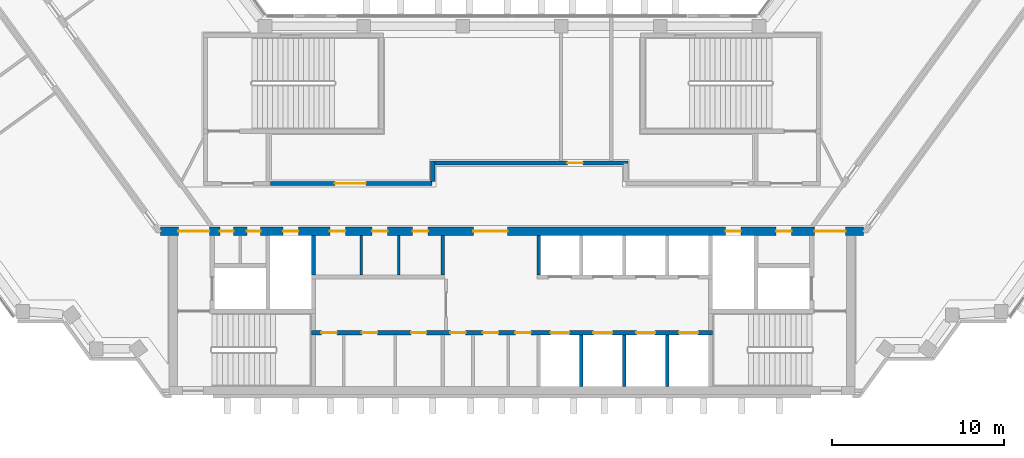
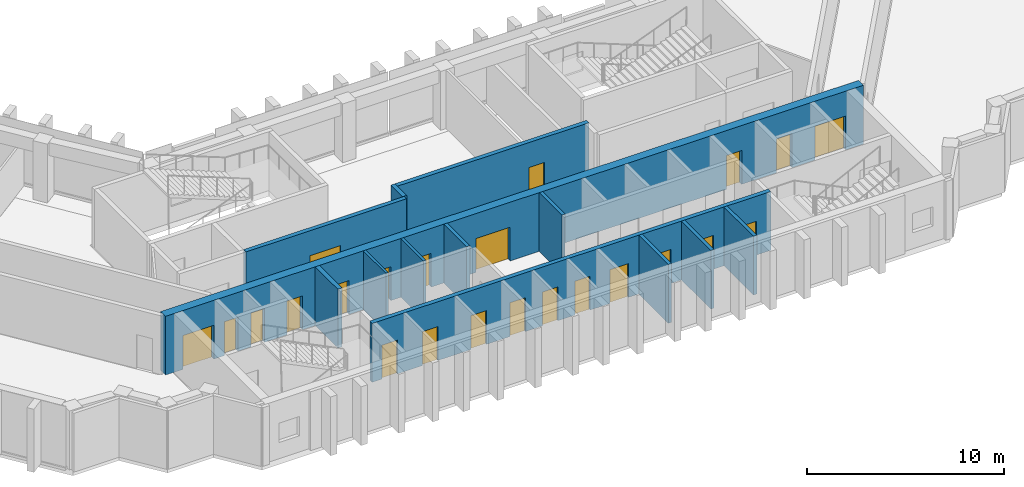
# One storey, part 5 of 9: 23 doors, 13 walls, 23 openings.
"""IFC4 building model written with IfcOpenShell, lengths in metres."""

from ifc_helpers import new_model, si_unit, direction, frame, frame_2d, origin, place, context, subcontext, project, spatial, rectangle, extrude, material, layer, layer_set, type_object, element, fill, save


model = new_model("IFC4")

# Units and contexts
model_context = context("Model", 3, precision=1e-05, world=origin(), true_north=direction((0.0, 1.0)))
body_context = subcontext(model_context, "Body", "Model", "MODEL_VIEW")
ifc_project = project(units=[si_unit("LENGTHUNIT", "METRE"), si_unit("AREAUNIT", "SQUARE_METRE"), si_unit("VOLUMEUNIT", "CUBIC_METRE"), si_unit("PLANEANGLEUNIT", "RADIAN"), si_unit("MASSUNIT", "GRAM", prefix="KILO")], contexts=[model_context])

# Site, building, storey
site_placement = place(None, origin())
site = spatial("IfcSite", under=ifc_project, at=site_placement, CompositionType="ELEMENT")
building_placement = place(site_placement, origin())
building = spatial("IfcBuilding", under=site, at=building_placement, Name="Quipu Civic Tower", CompositionType="ELEMENT")
storey_placement = place(building_placement, frame((0.0, 0.0, 226.0)))
storey = spatial("IfcBuildingStorey", under=building, at=storey_placement, Name="L53", CompositionType="ELEMENT", Elevation=226.0)

# Wall, openings, doors
ifc_material_1 = material(Name="Concrete C70/85", Category="concrete")
ifc_layer_1 = layer(ifc_material_1, 0.25)
ifc_layer_set_1 = layer_set([ifc_layer_1], Name="Concrete C70/85")
wall_type_1 = type_object("IfcWallType", Name="Core wall 250", PredefinedType="SHEAR", material=ifc_layer_set_1)
wall_1_placement = place(storey_placement, frame((11.699951171875, -7.375, 0.0), z_axis=(0.0, 0.0, 1.0), x_axis=(-1.0, 0.0, 0.0)))
wall_1 = element("IfcWall", 1, at=wall_1_placement, inside=storey, type_object=wall_type_1, Name="Core wall", PredefinedType="SHEAR", context=body_context, shape_type="SweptSolid", body=[
    extrude(rectangle(XDim=23.39990234375, YDim=0.25, at=frame_2d((11.699951171875, 0.0))), origin(), (0.0, 0.0, 1.0), 3.64990234375),
])
opening_1_placement = place(wall_1_placement, frame((21.912109375, 0.0, 0.0)))
opening_1 = element("IfcOpeningElement", 2, at=opening_1_placement, cuts=wall_1, Name="Opening CD-01", PredefinedType="OPENING", context=body_context, shape_type="SweptSolid", body=[
    extrude(rectangle(XDim=0.89990234375, YDim=2.10009765625, at=frame_2d((0.449951171875, 1.050048828125))), frame((0.0, 0.135009765625, 0.0), z_axis=(0.0, -1.0, 0.0), x_axis=(1.0, 0.0, 0.0)), (0.0, 0.0, 1.0), 0.27001953125),
])
opening_2_placement = place(wall_1_placement, frame((19.550048828125, 0.0, 0.0)))
opening_2 = element("IfcOpeningElement", 3, at=opening_2_placement, cuts=wall_1, Name="Opening CD-02", PredefinedType="OPENING", context=body_context, shape_type="SweptSolid", body=[
    extrude(rectangle(XDim=0.89990234375, YDim=2.10009765625, at=frame_2d((0.449951171875, 1.050048828125))), frame((0.0, 0.135009765625, 0.0), z_axis=(0.0, -1.0, 0.0), x_axis=(1.0, 0.0, 0.0)), (0.0, 0.0, 1.0), 0.27001953125),
])
opening_3_placement = place(wall_1_placement, frame((16.68798828125, 0.0, 0.0)))
opening_3 = element("IfcOpeningElement", 4, at=opening_3_placement, cuts=wall_1, Name="Opening CD-03", PredefinedType="OPENING", context=body_context, shape_type="SweptSolid", body=[
    extrude(rectangle(XDim=0.89990234375, YDim=2.10009765625, at=frame_2d((0.449951171875, 1.050048828125))), frame((0.0, 0.135009765625, 0.0), z_axis=(0.0, -1.0, 0.0), x_axis=(1.0, 0.0, 0.0)), (0.0, 0.0, 1.0), 0.27001953125),
])
opening_4_placement = place(wall_1_placement, frame((14.39990234375, 0.0, 0.0)))
opening_4 = element("IfcOpeningElement", 5, at=opening_4_placement, cuts=wall_1, Name="Opening CD-04", PredefinedType="OPENING", context=body_context, shape_type="SweptSolid", body=[
    extrude(rectangle(XDim=0.89990234375, YDim=2.10009765625, at=frame_2d((0.449951171875, 1.050048828125))), frame((0.0, 0.135009765625, 0.0), z_axis=(0.0, -1.0, 0.0), x_axis=(1.0, 0.0, 0.0)), (0.0, 0.0, 1.0), 0.27001953125),
])
opening_5_placement = place(wall_1_placement, frame((12.5, 0.0, 0.0)))
opening_5 = element("IfcOpeningElement", 6, at=opening_5_placement, cuts=wall_1, Name="Opening CD-05", PredefinedType="OPENING", context=body_context, shape_type="SweptSolid", body=[
    extrude(rectangle(XDim=0.89990234375, YDim=2.10009765625, at=frame_2d((0.449951171875, 1.050048828125))), frame((0.0, 0.135009765625, 0.0), z_axis=(0.0, -1.0, 0.0), x_axis=(1.0, 0.0, 0.0)), (0.0, 0.0, 1.0), 0.27001953125),
])
opening_6_placement = place(wall_1_placement, frame((10.60009765625, 0.0, 0.0)))
opening_6 = element("IfcOpeningElement", 7, at=opening_6_placement, cuts=wall_1, Name="Opening CD-06", PredefinedType="OPENING", context=body_context, shape_type="SweptSolid", body=[
    extrude(rectangle(XDim=0.89990234375, YDim=2.10009765625, at=frame_2d((0.449951171875, 1.050048828125))), frame((0.0, 0.135009765625, 0.0), z_axis=(0.0, -1.0, 0.0), x_axis=(1.0, 0.0, 0.0)), (0.0, 0.0, 1.0), 0.27001953125),
])
opening_7_placement = place(wall_1_placement, frame((8.35009765625, 0.0, 0.0)))
opening_7 = element("IfcOpeningElement", 8, at=opening_7_placement, cuts=wall_1, Name="Opening LD-ML1", PredefinedType="OPENING", context=body_context, shape_type="SweptSolid", body=[
    extrude(rectangle(XDim=1.10009765625, YDim=2.10009765625, at=frame_2d((0.550048828125, 1.050048828125))), frame((0.0, 0.135009765625, 0.0), z_axis=(0.0, -1.0, 0.0), x_axis=(1.0, 0.0, 0.0)), (0.0, 0.0, 1.0), 0.27001953125),
])
opening_8_placement = place(wall_1_placement, frame((5.85009765625, 0.0, 0.0)))
opening_8 = element("IfcOpeningElement", 9, at=opening_8_placement, cuts=wall_1, Name="Opening LD-ML2", PredefinedType="OPENING", context=body_context, shape_type="SweptSolid", body=[
    extrude(rectangle(XDim=1.10009765625, YDim=2.10009765625, at=frame_2d((0.550048828125, 1.050048828125))), frame((0.0, 0.135009765625, 0.0), z_axis=(0.0, -1.0, 0.0), x_axis=(1.0, 0.0, 0.0)), (0.0, 0.0, 1.0), 0.27001953125),
])
opening_9_placement = place(wall_1_placement, frame((3.35009765625, 0.0, 0.0)))
opening_9 = element("IfcOpeningElement", 10, at=opening_9_placement, cuts=wall_1, Name="Opening LD-ML3", PredefinedType="OPENING", context=body_context, shape_type="SweptSolid", body=[
    extrude(rectangle(XDim=1.10009765625, YDim=2.10009765625, at=frame_2d((0.550048828125, 1.050048828125))), frame((0.0, 0.135009765625, 0.0), z_axis=(0.0, -1.0, 0.0), x_axis=(1.0, 0.0, 0.0)), (0.0, 0.0, 1.0), 0.27001953125),
])
opening_10_placement = place(wall_1_placement, frame((0.85009765625, 0.0, 0.0)))
opening_10 = element("IfcOpeningElement", 11, at=opening_10_placement, cuts=wall_1, Name="Opening LD-ML4", PredefinedType="OPENING", context=body_context, shape_type="SweptSolid", body=[
    extrude(rectangle(XDim=1.10009765625, YDim=2.10009765625, at=frame_2d((0.550048828125, 1.050048828125))), frame((0.0, 0.135009765625, 0.0), z_axis=(0.0, -1.0, 0.0), x_axis=(1.0, 0.0, 0.0)), (0.0, 0.0, 1.0), 0.27001953125),
])
ifc_material_2 = material(Name="Fire rated steel door", Category="steel")
door_type_1 = type_object("IfcDoorType", Name="Fire door FD60 900 x 2100", OperationType="NOTDEFINED", PredefinedType="DOOR", material=ifc_material_2)
door_1_placement = place(opening_1_placement, origin())
door_1 = element("IfcDoor", 12, at=door_1_placement, inside=storey, type_object=door_type_1, Name="Door", OperationType="SINGLE_SWING_RIGHT", OverallHeight=2.10009765625, OverallWidth=0.89990234375, PredefinedType="DOOR", context=body_context, shape_type="SweptSolid", body=[
    extrude(rectangle(XDim=0.89990234375, YDim=2.10009765625, at=frame_2d((0.449951171875, 1.050048828125))), frame((0.0, 0.02490234375, 0.0), z_axis=(0.0, -1.0, 0.0), x_axis=(1.0, 0.0, 0.0)), (0.0, 0.0, 1.0), 0.050048828125),
])
fill(opening_1, door_1)
door_2_placement = place(opening_2_placement, origin())
door_2 = element("IfcDoor", 13, at=door_2_placement, inside=storey, type_object=door_type_1, Name="Door", OperationType="SINGLE_SWING_RIGHT", OverallHeight=2.10009765625, OverallWidth=0.89990234375, PredefinedType="DOOR", context=body_context, shape_type="SweptSolid", body=[
    extrude(rectangle(XDim=0.89990234375, YDim=2.10009765625, at=frame_2d((0.449951171875, 1.050048828125))), frame((0.0, 0.02490234375, 0.0), z_axis=(0.0, -1.0, 0.0), x_axis=(1.0, 0.0, 0.0)), (0.0, 0.0, 1.0), 0.050048828125),
])
fill(opening_2, door_2)
door_3_placement = place(opening_3_placement, origin())
door_3 = element("IfcDoor", 14, at=door_3_placement, inside=storey, type_object=door_type_1, Name="Door", OperationType="SINGLE_SWING_RIGHT", OverallHeight=2.10009765625, OverallWidth=0.89990234375, PredefinedType="DOOR", context=body_context, shape_type="SweptSolid", body=[
    extrude(rectangle(XDim=0.89990234375, YDim=2.10009765625, at=frame_2d((0.449951171875, 1.050048828125))), frame((0.0, 0.02490234375, 0.0), z_axis=(0.0, -1.0, 0.0), x_axis=(1.0, 0.0, 0.0)), (0.0, 0.0, 1.0), 0.050048828125),
])
fill(opening_3, door_3)
door_4_placement = place(opening_4_placement, origin())
door_4 = element("IfcDoor", 15, at=door_4_placement, inside=storey, type_object=door_type_1, Name="WC door", OperationType="SINGLE_SWING_RIGHT", OverallHeight=2.10009765625, OverallWidth=0.89990234375, PredefinedType="DOOR", context=body_context, shape_type="SweptSolid", body=[
    extrude(rectangle(XDim=0.89990234375, YDim=2.10009765625, at=frame_2d((0.449951171875, 1.050048828125))), frame((0.0, 0.02490234375, 0.0), z_axis=(0.0, -1.0, 0.0), x_axis=(1.0, 0.0, 0.0)), (0.0, 0.0, 1.0), 0.050048828125),
])
fill(opening_4, door_4)
door_5_placement = place(opening_5_placement, origin())
door_5 = element("IfcDoor", 16, at=door_5_placement, inside=storey, type_object=door_type_1, Name="WC door", OperationType="SINGLE_SWING_RIGHT", OverallHeight=2.10009765625, OverallWidth=0.89990234375, PredefinedType="DOOR", context=body_context, shape_type="SweptSolid", body=[
    extrude(rectangle(XDim=0.89990234375, YDim=2.10009765625, at=frame_2d((0.449951171875, 1.050048828125))), frame((0.0, 0.02490234375, 0.0), z_axis=(0.0, -1.0, 0.0), x_axis=(1.0, 0.0, 0.0)), (0.0, 0.0, 1.0), 0.050048828125),
])
fill(opening_5, door_5)
door_6_placement = place(opening_6_placement, origin())
door_6 = element("IfcDoor", 17, at=door_6_placement, inside=storey, type_object=door_type_1, Name="WC door", OperationType="SINGLE_SWING_LEFT", OverallHeight=2.10009765625, OverallWidth=0.89990234375, PredefinedType="DOOR", context=body_context, shape_type="SweptSolid", body=[
    extrude(rectangle(XDim=0.89990234375, YDim=2.10009765625, at=frame_2d((0.449951171875, 1.050048828125))), frame((0.0, 0.02490234375, 0.0), z_axis=(0.0, -1.0, 0.0), x_axis=(1.0, 0.0, 0.0)), (0.0, 0.0, 1.0), 0.050048828125),
])
fill(opening_6, door_6)
ifc_material_3 = material(Name="Stainless steel", Category="steel")
door_type_2 = type_object("IfcDoorType", Name="Lift landing door 1100 x 2100", OperationType="DOUBLE_DOOR_SLIDING", PredefinedType="DOOR", material=ifc_material_3)
door_7_placement = place(opening_7_placement, origin())
door_7 = element("IfcDoor", 18, at=door_7_placement, inside=storey, type_object=door_type_2, Name="Landing door ML1", OperationType="DOUBLE_DOOR_SLIDING", OverallHeight=2.10009765625, OverallWidth=1.10009765625, PredefinedType="DOOR", context=body_context, shape_type="SweptSolid", body=[
    extrude(rectangle(XDim=1.10009765625, YDim=2.10009765625, at=frame_2d((0.550048828125, 1.050048828125))), frame((0.0, 0.02490234375, 0.0), z_axis=(0.0, -1.0, 0.0), x_axis=(1.0, 0.0, 0.0)), (0.0, 0.0, 1.0), 0.050048828125),
])
fill(opening_7, door_7)
door_8_placement = place(opening_8_placement, origin())
door_8 = element("IfcDoor", 19, at=door_8_placement, inside=storey, type_object=door_type_2, Name="Landing door ML2", OperationType="DOUBLE_DOOR_SLIDING", OverallHeight=2.10009765625, OverallWidth=1.10009765625, PredefinedType="DOOR", context=body_context, shape_type="SweptSolid", body=[
    extrude(rectangle(XDim=1.10009765625, YDim=2.10009765625, at=frame_2d((0.550048828125, 1.050048828125))), frame((0.0, 0.02490234375, 0.0), z_axis=(0.0, -1.0, 0.0), x_axis=(1.0, 0.0, 0.0)), (0.0, 0.0, 1.0), 0.050048828125),
])
fill(opening_8, door_8)
door_9_placement = place(opening_9_placement, origin())
door_9 = element("IfcDoor", 20, at=door_9_placement, inside=storey, type_object=door_type_2, Name="Landing door ML3", OperationType="DOUBLE_DOOR_SLIDING", OverallHeight=2.10009765625, OverallWidth=1.10009765625, PredefinedType="DOOR", context=body_context, shape_type="SweptSolid", body=[
    extrude(rectangle(XDim=1.10009765625, YDim=2.10009765625, at=frame_2d((0.550048828125, 1.050048828125))), frame((0.0, 0.02490234375, 0.0), z_axis=(0.0, -1.0, 0.0), x_axis=(1.0, 0.0, 0.0)), (0.0, 0.0, 1.0), 0.050048828125),
])
fill(opening_9, door_9)
door_10_placement = place(opening_10_placement, origin())
door_10 = element("IfcDoor", 21, at=door_10_placement, inside=storey, type_object=door_type_2, Name="Landing door ML4", OperationType="DOUBLE_DOOR_SLIDING", OverallHeight=2.10009765625, OverallWidth=1.10009765625, PredefinedType="DOOR", context=body_context, shape_type="SweptSolid", body=[
    extrude(rectangle(XDim=1.10009765625, YDim=2.10009765625, at=frame_2d((0.550048828125, 1.050048828125))), frame((0.0, 0.02490234375, 0.0), z_axis=(0.0, -1.0, 0.0), x_axis=(1.0, 0.0, 0.0)), (0.0, 0.0, 1.0), 0.050048828125),
])
fill(opening_10, door_10)

# Wall
wall_2_placement = place(storey_placement, frame((-11.574951171875, -4.0, 0.0), z_axis=(0.0, 0.0, 1.0), x_axis=(0.0, 1.0, 0.0)))
element("IfcWall", 22, at=wall_2_placement, inside=storey, type_object=wall_type_1, Name="Core wall", PredefinedType="SHEAR", context=body_context, shape_type="SweptSolid", body=[
    extrude(rectangle(XDim=2.300048828125, YDim=0.25, at=frame_2d((1.14990234375, 0.0))), origin(), (0.0, 0.0, 1.0), 3.64990234375),
])

# Wall, openings, doors
ifc_material_4 = material(Name="Concrete C70/85", Category="concrete")
ifc_layer_2 = layer(ifc_material_4, 0.5)
ifc_layer_set_2 = layer_set([ifc_layer_2], Name="Concrete C70/85")
wall_type_2 = type_object("IfcWallType", Name="Core wall 500", PredefinedType="SHEAR", material=ifc_layer_set_2)
wall_3_placement = place(storey_placement, frame((20.489990234375, -1.449951171875, 0.0), z_axis=(0.0, 0.0, 1.0), x_axis=(-1.0, 0.0, 0.0)))
wall_3 = element("IfcWall", 23, at=wall_3_placement, inside=storey, type_object=wall_type_2, Name="Core wall", PredefinedType="SHEAR", context=body_context, shape_type="SweptSolid", body=[
    extrude(rectangle(XDim=40.97998046875, YDim=0.5, at=frame_2d((20.489990234375, 0.0))), origin(), (0.0, 0.0, 1.0), 3.64990234375),
])
opening_11_placement = place(wall_3_placement, frame((38.139892578125, 0.0, 0.0)))
opening_11 = element("IfcOpeningElement", 24, at=opening_11_placement, cuts=wall_3, Name="Opening CD-10", PredefinedType="OPENING", context=body_context, shape_type="SweptSolid", body=[
    extrude(rectangle(XDim=1.800048828125, YDim=2.10009765625, at=frame_2d((0.89990234375, 1.050048828125))), frame((0.0, 0.260009765625, 0.0), z_axis=(0.0, -1.0, 0.0), x_axis=(1.0, 0.0, 0.0)), (0.0, 0.0, 1.0), 0.52001953125),
])
opening_12_placement = place(wall_3_placement, frame((36.7275390625, 0.0, 0.0)))
opening_12 = element("IfcOpeningElement", 25, at=opening_12_placement, cuts=wall_3, Name="Opening CD-11", PredefinedType="OPENING", context=body_context, shape_type="SweptSolid", body=[
    extrude(rectangle(XDim=0.800048828125, YDim=2.10009765625, at=frame_2d((0.39990234375, 1.050048828125))), frame((0.0, 0.260009765625, 0.0), z_axis=(0.0, -1.0, 0.0), x_axis=(1.0, 0.0, 0.0)), (0.0, 0.0, 1.0), 0.52001953125),
])
opening_13_placement = place(wall_3_placement, frame((35.152587890625, 0.0, 0.0)))
opening_13 = element("IfcOpeningElement", 26, at=opening_13_placement, cuts=wall_3, Name="Opening CD-12", PredefinedType="OPENING", context=body_context, shape_type="SweptSolid", body=[
    extrude(rectangle(XDim=0.800048828125, YDim=2.10009765625, at=frame_2d((0.39990234375, 1.050048828125))), frame((0.0, 0.260009765625, 0.0), z_axis=(0.0, -1.0, 0.0), x_axis=(1.0, 0.0, 0.0)), (0.0, 0.0, 1.0), 0.52001953125),
])
opening_14_placement = place(wall_3_placement, frame((32.93994140625, 0.0, 0.0)))
opening_14 = element("IfcOpeningElement", 27, at=opening_14_placement, cuts=wall_3, Name="Opening CD-13", PredefinedType="OPENING", context=body_context, shape_type="SweptSolid", body=[
    extrude(rectangle(XDim=0.89990234375, YDim=2.10009765625, at=frame_2d((0.449951171875, 1.050048828125))), frame((0.0, 0.260009765625, 0.0), z_axis=(0.0, -1.0, 0.0), x_axis=(1.0, 0.0, 0.0)), (0.0, 0.0, 1.0), 0.52001953125),
])
opening_15_placement = place(wall_3_placement, frame((30.202392578125, 0.0, 0.0)))
opening_15 = element("IfcOpeningElement", 28, at=opening_15_placement, cuts=wall_3, Name="Opening CD-14", PredefinedType="OPENING", context=body_context, shape_type="SweptSolid", body=[
    extrude(rectangle(XDim=0.89990234375, YDim=2.10009765625, at=frame_2d((0.449951171875, 1.050048828125))), frame((0.0, 0.260009765625, 0.0), z_axis=(0.0, -1.0, 0.0), x_axis=(1.0, 0.0, 0.0)), (0.0, 0.0, 1.0), 0.52001953125),
])
opening_16_placement = place(wall_3_placement, frame((27.739990234375, 0.0, 0.0)))
opening_16 = element("IfcOpeningElement", 29, at=opening_16_placement, cuts=wall_3, Name="Opening CD-15", PredefinedType="OPENING", context=body_context, shape_type="SweptSolid", body=[
    extrude(rectangle(XDim=0.89990234375, YDim=2.10009765625, at=frame_2d((0.449951171875, 1.050048828125))), frame((0.0, 0.260009765625, 0.0), z_axis=(0.0, -1.0, 0.0), x_axis=(1.0, 0.0, 0.0)), (0.0, 0.0, 1.0), 0.52001953125),
])
opening_17_placement = place(wall_3_placement, frame((25.37744140625, 0.0, 0.0)))
opening_17 = element("IfcOpeningElement", 30, at=opening_17_placement, cuts=wall_3, Name="Opening CD-16", PredefinedType="OPENING", context=body_context, shape_type="SweptSolid", body=[
    extrude(rectangle(XDim=0.89990234375, YDim=2.10009765625, at=frame_2d((0.449951171875, 1.050048828125))), frame((0.0, 0.260009765625, 0.0), z_axis=(0.0, -1.0, 0.0), x_axis=(1.0, 0.0, 0.0)), (0.0, 0.0, 1.0), 0.52001953125),
])
opening_18_placement = place(wall_3_placement, frame((20.739990234375, 0.0, 0.0)))
opening_18 = element("IfcOpeningElement", 31, at=opening_18_placement, cuts=wall_3, Name="Opening CD-17", PredefinedType="OPENING", context=body_context, shape_type="SweptSolid", body=[
    extrude(rectangle(XDim=2.0, YDim=2.10009765625, at=frame_2d((1.0, 1.050048828125))), frame((0.0, 0.260009765625, 0.0), z_axis=(0.0, -1.0, 0.0), x_axis=(1.0, 0.0, 0.0)), (0.0, 0.0, 1.0), 0.52001953125),
])
opening_19_placement = place(wall_3_placement, frame((7.139892578125, 0.0, 0.0)))
opening_19 = element("IfcOpeningElement", 32, at=opening_19_placement, cuts=wall_3, Name="Opening CD-18", PredefinedType="OPENING", context=body_context, shape_type="SweptSolid", body=[
    extrude(rectangle(XDim=0.89990234375, YDim=2.10009765625, at=frame_2d((0.449951171875, 1.050048828125))), frame((0.0, 0.260009765625, 0.0), z_axis=(0.0, -1.0, 0.0), x_axis=(1.0, 0.0, 0.0)), (0.0, 0.0, 1.0), 0.52001953125),
])
opening_20_placement = place(wall_3_placement, frame((4.18994140625, 0.0, 0.0)))
opening_20 = element("IfcOpeningElement", 33, at=opening_20_placement, cuts=wall_3, Name="Opening CD-19", PredefinedType="OPENING", context=body_context, shape_type="SweptSolid", body=[
    extrude(rectangle(XDim=0.89990234375, YDim=2.10009765625, at=frame_2d((0.449951171875, 1.050048828125))), frame((0.0, 0.260009765625, 0.0), z_axis=(0.0, -1.0, 0.0), x_axis=(1.0, 0.0, 0.0)), (0.0, 0.0, 1.0), 0.52001953125),
])
opening_21_placement = place(wall_3_placement, frame((1.0400390625, 0.0, 0.0)))
opening_21 = element("IfcOpeningElement", 34, at=opening_21_placement, cuts=wall_3, Name="Opening CD-20", PredefinedType="OPENING", context=body_context, shape_type="SweptSolid", body=[
    extrude(rectangle(XDim=1.800048828125, YDim=2.10009765625, at=frame_2d((0.89990234375, 1.050048828125))), frame((0.0, 0.260009765625, 0.0), z_axis=(0.0, -1.0, 0.0), x_axis=(1.0, 0.0, 0.0)), (0.0, 0.0, 1.0), 0.52001953125),
])
ifc_material_5 = material(Name="Fire rated steel door", Category="steel")
door_type_3 = type_object("IfcDoorType", Name="Fire door FD60 800 x 2100", OperationType="NOTDEFINED", PredefinedType="DOOR", material=ifc_material_5)
door_11_placement = place(opening_12_placement, origin())
door_11 = element("IfcDoor", 35, at=door_11_placement, inside=storey, type_object=door_type_3, Name="Door", OperationType="SINGLE_SWING_RIGHT", OverallHeight=2.10009765625, OverallWidth=0.800048828125, PredefinedType="DOOR", context=body_context, shape_type="SweptSolid", body=[
    extrude(rectangle(XDim=0.800048828125, YDim=2.10009765625, at=frame_2d((0.39990234375, 1.050048828125))), frame((0.0, 0.02490234375, 0.0), z_axis=(0.0, -1.0, 0.0), x_axis=(1.0, 0.0, 0.0)), (0.0, 0.0, 1.0), 0.050048828125),
])
fill(opening_12, door_11)
door_12_placement = place(opening_13_placement, origin())
door_12 = element("IfcDoor", 36, at=door_12_placement, inside=storey, type_object=door_type_3, Name="Door", OperationType="SINGLE_SWING_RIGHT", OverallHeight=2.10009765625, OverallWidth=0.800048828125, PredefinedType="DOOR", context=body_context, shape_type="SweptSolid", body=[
    extrude(rectangle(XDim=0.800048828125, YDim=2.10009765625, at=frame_2d((0.39990234375, 1.050048828125))), frame((0.0, 0.02490234375, 0.0), z_axis=(0.0, -1.0, 0.0), x_axis=(1.0, 0.0, 0.0)), (0.0, 0.0, 1.0), 0.050048828125),
])
fill(opening_13, door_12)
door_13_placement = place(opening_14_placement, origin())
door_13 = element("IfcDoor", 37, at=door_13_placement, inside=storey, type_object=door_type_1, Name="Riser door", OperationType="SINGLE_SWING_RIGHT", OverallHeight=2.10009765625, OverallWidth=0.89990234375, PredefinedType="DOOR", context=body_context, shape_type="SweptSolid", body=[
    extrude(rectangle(XDim=0.89990234375, YDim=2.10009765625, at=frame_2d((0.449951171875, 1.050048828125))), frame((0.0, 0.02490234375, 0.0), z_axis=(0.0, -1.0, 0.0), x_axis=(1.0, 0.0, 0.0)), (0.0, 0.0, 1.0), 0.050048828125),
])
fill(opening_14, door_13)
door_14_placement = place(opening_15_placement, origin())
door_14 = element("IfcDoor", 38, at=door_14_placement, inside=storey, type_object=door_type_1, Name="Door", OperationType="SINGLE_SWING_RIGHT", OverallHeight=2.10009765625, OverallWidth=0.89990234375, PredefinedType="DOOR", context=body_context, shape_type="SweptSolid", body=[
    extrude(rectangle(XDim=0.89990234375, YDim=2.10009765625, at=frame_2d((0.449951171875, 1.050048828125))), frame((0.0, 0.02490234375, 0.0), z_axis=(0.0, -1.0, 0.0), x_axis=(1.0, 0.0, 0.0)), (0.0, 0.0, 1.0), 0.050048828125),
])
fill(opening_15, door_14)
door_15_placement = place(opening_16_placement, origin())
door_15 = element("IfcDoor", 39, at=door_15_placement, inside=storey, type_object=door_type_1, Name="Door", OperationType="SINGLE_SWING_RIGHT", OverallHeight=2.10009765625, OverallWidth=0.89990234375, PredefinedType="DOOR", context=body_context, shape_type="SweptSolid", body=[
    extrude(rectangle(XDim=0.89990234375, YDim=2.10009765625, at=frame_2d((0.449951171875, 1.050048828125))), frame((0.0, 0.02490234375, 0.0), z_axis=(0.0, -1.0, 0.0), x_axis=(1.0, 0.0, 0.0)), (0.0, 0.0, 1.0), 0.050048828125),
])
fill(opening_16, door_15)
door_16_placement = place(opening_17_placement, origin())
door_16 = element("IfcDoor", 40, at=door_16_placement, inside=storey, type_object=door_type_1, Name="Door", OperationType="SINGLE_SWING_RIGHT", OverallHeight=2.10009765625, OverallWidth=0.89990234375, PredefinedType="DOOR", context=body_context, shape_type="SweptSolid", body=[
    extrude(rectangle(XDim=0.89990234375, YDim=2.10009765625, at=frame_2d((0.449951171875, 1.050048828125))), frame((0.0, 0.02490234375, 0.0), z_axis=(0.0, -1.0, 0.0), x_axis=(1.0, 0.0, 0.0)), (0.0, 0.0, 1.0), 0.050048828125),
])
fill(opening_17, door_16)
door_17_placement = place(opening_19_placement, origin())
door_17 = element("IfcDoor", 41, at=door_17_placement, inside=storey, type_object=door_type_1, Name="Riser door", OperationType="SINGLE_SWING_LEFT", OverallHeight=2.10009765625, OverallWidth=0.89990234375, PredefinedType="DOOR", context=body_context, shape_type="SweptSolid", body=[
    extrude(rectangle(XDim=0.89990234375, YDim=2.10009765625, at=frame_2d((0.449951171875, 1.050048828125))), frame((0.0, 0.02490234375, 0.0), z_axis=(0.0, -1.0, 0.0), x_axis=(1.0, 0.0, 0.0)), (0.0, 0.0, 1.0), 0.050048828125),
])
fill(opening_19, door_17)
door_18_placement = place(opening_20_placement, origin())
door_18 = element("IfcDoor", 42, at=door_18_placement, inside=storey, type_object=door_type_1, Name="Door", OperationType="SINGLE_SWING_LEFT", OverallHeight=2.10009765625, OverallWidth=0.89990234375, PredefinedType="DOOR", context=body_context, shape_type="SweptSolid", body=[
    extrude(rectangle(XDim=0.89990234375, YDim=2.10009765625, at=frame_2d((0.449951171875, 1.050048828125))), frame((0.0, 0.02490234375, 0.0), z_axis=(0.0, -1.0, 0.0), x_axis=(1.0, 0.0, 0.0)), (0.0, 0.0, 1.0), 0.050048828125),
])
fill(opening_20, door_18)
ifc_material_6 = material(Name="Fire rated steel door", Category="steel")
door_type_4 = type_object("IfcDoorType", Name="Fire door FD90 double 1800 x 2100", OperationType="NOTDEFINED", PredefinedType="DOOR", material=ifc_material_6)
door_19_placement = place(opening_11_placement, origin())
door_19 = element("IfcDoor", 43, at=door_19_placement, inside=storey, type_object=door_type_4, Name="Lobby door", OperationType="DOUBLE_DOOR_SINGLE_SWING", OverallHeight=2.10009765625, OverallWidth=1.800048828125, PredefinedType="DOOR", context=body_context, shape_type="SweptSolid", body=[
    extrude(rectangle(XDim=1.800048828125, YDim=2.10009765625, at=frame_2d((0.89990234375, 1.050048828125))), frame((0.0, 0.02490234375, 0.0), z_axis=(0.0, -1.0, 0.0), x_axis=(1.0, 0.0, 0.0)), (0.0, 0.0, 1.0), 0.050048828125),
])
fill(opening_11, door_19)
door_20_placement = place(opening_21_placement, origin())
door_20 = element("IfcDoor", 44, at=door_20_placement, inside=storey, type_object=door_type_4, Name="Lobby door", OperationType="DOUBLE_DOOR_SINGLE_SWING", OverallHeight=2.10009765625, OverallWidth=1.800048828125, PredefinedType="DOOR", context=body_context, shape_type="SweptSolid", body=[
    extrude(rectangle(XDim=1.800048828125, YDim=2.10009765625, at=frame_2d((0.89990234375, 1.050048828125))), frame((0.0, 0.02490234375, 0.0), z_axis=(0.0, -1.0, 0.0), x_axis=(1.0, 0.0, 0.0)), (0.0, 0.0, 1.0), 0.050048828125),
])
fill(opening_21, door_20)
ifc_material_7 = material(Name="Fire rated steel door", Category="steel")
door_type_5 = type_object("IfcDoorType", Name="Fire door FD90 double 2000 x 2100", OperationType="NOTDEFINED", PredefinedType="DOOR", material=ifc_material_7)
door_21_placement = place(opening_18_placement, origin())
door_21 = element("IfcDoor", 45, at=door_21_placement, inside=storey, type_object=door_type_5, Name="Lobby door", OperationType="DOUBLE_DOOR_SINGLE_SWING", OverallHeight=2.10009765625, OverallWidth=2.0, PredefinedType="DOOR", context=body_context, shape_type="SweptSolid", body=[
    extrude(rectangle(XDim=2.0, YDim=2.10009765625, at=frame_2d((1.0, 1.050048828125))), frame((0.0, 0.02490234375, 0.0), z_axis=(0.0, -1.0, 0.0), x_axis=(1.0, 0.0, 0.0)), (0.0, 0.0, 1.0), 0.050048828125),
])
fill(opening_18, door_21)

# Wall, opening, door
ifc_material_8 = material(Name="Concrete C50/60", Category="concrete")
ifc_layer_3 = layer(ifc_material_8, 0.25)
ifc_layer_set_3 = layer_set([ifc_layer_3], Name="Concrete C50/60")
wall_type_3 = type_object("IfcWallType", Name="Corridor wall 250 concrete", PredefinedType="SOLIDWALL", material=ifc_layer_set_3)
wall_4_placement = place(storey_placement, frame((-14.090087890625, 1.324951171875, 0.0), z_axis=(0.0, 0.0, 1.0), x_axis=(1.0, 0.0, 0.0)))
wall_4 = element("IfcWall", 46, at=wall_4_placement, inside=storey, type_object=wall_type_3, Name="Corridor wall C07", PredefinedType="SOLIDWALL", context=body_context, shape_type="SweptSolid", body=[
    extrude(rectangle(XDim=9.431396484375, YDim=0.25, at=frame_2d((4.7158203125, 0.0))), origin(), (0.0, 0.0, 1.0), 3.64990234375),
])
opening_22_placement = place(wall_4_placement, frame((3.764892578125, 0.0, 0.0)))
opening_22 = element("IfcOpeningElement", 47, at=opening_22_placement, cuts=wall_4, Name="Opening D003", PredefinedType="OPENING", context=body_context, shape_type="SweptSolid", body=[
    extrude(rectangle(XDim=1.800048828125, YDim=2.10009765625, at=frame_2d((0.89990234375, 1.050048828125))), frame((0.0, 0.135009765625, 0.0), z_axis=(0.0, -1.0, 0.0), x_axis=(1.0, 0.0, 0.0)), (0.0, 0.0, 1.0), 0.27001953125),
])
ifc_material_9 = material(Name="Fire rated timber door set with metal frame", Category="wood")
door_type_6 = type_object("IfcDoorType", Name="Double door 1800 x 2100 FD60", OperationType="DOUBLE_DOOR_SINGLE_SWING", PredefinedType="DOOR", material=ifc_material_9)
door_22_placement = place(opening_22_placement, origin())
door_22 = element("IfcDoor", 48, at=door_22_placement, inside=storey, type_object=door_type_6, Name="Door D003", OperationType="DOUBLE_DOOR_SINGLE_SWING", OverallHeight=2.10009765625, OverallWidth=1.800048828125, PredefinedType="DOOR", context=body_context, shape_type="SweptSolid", body=[
    extrude(rectangle(XDim=1.800048828125, YDim=2.10009765625, at=frame_2d((0.89990234375, 1.050048828125))), frame((0.0, 0.02490234375, 0.0), z_axis=(0.0, -1.0, 0.0), x_axis=(1.0, 0.0, 0.0)), (0.0, 0.0, 1.0), 0.050048828125),
])
fill(opening_22, door_22)

# Wall
wall_5_placement = place(storey_placement, frame((-4.625, 1.45361328125, 0.0), z_axis=(0.0, 0.0, 1.0), x_axis=(0.0, 1.0, 0.0)))
element("IfcWall", 49, at=wall_5_placement, inside=storey, type_object=wall_type_3, Name="Corridor wall C08", PredefinedType="SOLIDWALL", context=body_context, shape_type="SweptSolid", body=[
    extrude(rectangle(XDim=1.1962890625, YDim=0.25, at=frame_2d((0.59814453125, 0.0))), origin(), (0.0, 0.0, 1.0), 3.64990234375),
])

# Wall, opening, door
wall_6_placement = place(storey_placement, frame((-4.5, 2.52490234375, 0.0), z_axis=(0.0, 0.0, 1.0), x_axis=(1.0, 0.0, 0.0)))
wall_6 = element("IfcWall", 50, at=wall_6_placement, inside=storey, type_object=wall_type_3, Name="Corridor wall C09", PredefinedType="SOLIDWALL", context=body_context, shape_type="SweptSolid", body=[
    extrude(rectangle(XDim=11.25, YDim=0.25, at=frame_2d((5.625, 0.0))), origin(), (0.0, 0.0, 1.0), 3.64990234375),
])
opening_23_placement = place(wall_6_placement, frame((7.72900390625, 0.0, 0.0)))
opening_23 = element("IfcOpeningElement", 51, at=opening_23_placement, cuts=wall_6, Name="Opening D004", PredefinedType="OPENING", context=body_context, shape_type="SweptSolid", body=[
    extrude(rectangle(XDim=0.89990234375, YDim=2.10009765625, at=frame_2d((0.449951171875, 1.050048828125))), frame((0.0, 0.135009765625, 0.0), z_axis=(0.0, -1.0, 0.0), x_axis=(1.0, 0.0, 0.0)), (0.0, 0.0, 1.0), 0.27001953125),
])
ifc_material_10 = material(Name="Fire rated timber door set with metal frame", Category="wood")
door_type_7 = type_object("IfcDoorType", Name="Single door 900 x 2100 FD60", OperationType="NOTDEFINED", PredefinedType="DOOR", material=ifc_material_10)
door_23_placement = place(opening_23_placement, origin())
door_23 = element("IfcDoor", 52, at=door_23_placement, inside=storey, type_object=door_type_7, Name="Door D004", OperationType="SINGLE_SWING_LEFT", OverallHeight=2.10009765625, OverallWidth=0.89990234375, PredefinedType="DOOR", context=body_context, shape_type="SweptSolid", body=[
    extrude(rectangle(XDim=0.89990234375, YDim=2.10009765625, at=frame_2d((0.449951171875, 1.050048828125))), frame((0.0, 0.02490234375, 0.0), z_axis=(0.0, -1.0, 0.0), x_axis=(1.0, 0.0, 0.0)), (0.0, 0.0, 1.0), 0.050048828125),
])
fill(opening_23, door_23)

# Walls
ifc_material_11 = material(Name="Gypsum board partition")
ifc_layer_4 = layer(ifc_material_11, 0.14990234375)
ifc_layer_set_4 = layer_set([ifc_layer_4], Name="Gypsum board partition")
wall_type_4 = type_object("IfcWallType", Name="Partition 150", PredefinedType="PARTITIONING", material=ifc_layer_set_4)
for number, where, z_axis, x_axis, name in (
    (53, (-8.800048828125, -4.0, 0.0), (0.0, 0.0, 1.0), (0.0, 1.0, 0.0), "Partition"),
    (54, (-6.60009765625, -4.0, 0.0), (0.0, 0.0, 1.0), (0.0, 1.0, 0.0), "Partition"),
):
    element("IfcWall", number, at=place(storey_placement, frame(where, z_axis=z_axis, x_axis=x_axis)), inside=storey, type_object=wall_type_4, Name=name, PredefinedType="PARTITIONING", context=body_context, shape_type="SweptSolid", body=[
        extrude(rectangle(XDim=2.300048828125, YDim=0.14990234375, at=frame_2d((1.14990234375, 0.0))), origin(), (0.0, 0.0, 1.0), 3.64990234375),
    ])
ifc_material_12 = material(Name="Concrete C40/50", Category="concrete")
ifc_layer_5 = layer(ifc_material_12, 0.199951171875)
ifc_layer_set_5 = layer_set([ifc_layer_5], Name="Concrete C40/50")
wall_type_5 = type_object("IfcWallType", Name="Shaft wall 200", PredefinedType="SOLIDWALL", material=ifc_layer_set_5)
for number, where, z_axis, x_axis, name in (
    (55, (4.050048828125, -10.5, 0.0), (0.0, 0.0, 1.0), (0.0, 1.0, 0.0), "Shaft wall"),
    (56, (6.550048828125, -10.5, 0.0), (0.0, 0.0, 1.0), (0.0, 1.0, 0.0), "Shaft wall"),
    (57, (9.050048828125, -10.5, 0.0), (0.0, 0.0, 1.0), (0.0, 1.0, 0.0), "Shaft wall"),
):
    element("IfcWall", number, at=place(storey_placement, frame(where, z_axis=z_axis, x_axis=x_axis)), inside=storey, type_object=wall_type_5, Name=name, PredefinedType="SOLIDWALL", context=body_context, shape_type="SweptSolid", body=[
        extrude(rectangle(XDim=3.0, YDim=0.199951171875, at=frame_2d((1.5, 0.0))), origin(), (0.0, 0.0, 1.0), 3.64990234375),
    ])
for number, where, z_axis, x_axis, name in (
    (58, (-4.050048828125, -4.0, 0.0), (0.0, 0.0, 1.0), (0.0, 1.0, 0.0), "Shaft wall"),
    (59, (1.550048828125, -4.0, 0.0), (0.0, 0.0, 1.0), (0.0, 1.0, 0.0), "Shaft wall"),
):
    element("IfcWall", number, at=place(storey_placement, frame(where, z_axis=z_axis, x_axis=x_axis)), inside=storey, type_object=wall_type_5, Name=name, PredefinedType="SOLIDWALL", context=body_context, shape_type="SweptSolid", body=[
        extrude(rectangle(XDim=2.300048828125, YDim=0.199951171875, at=frame_2d((1.14990234375, 0.0))), origin(), (0.0, 0.0, 1.0), 3.64990234375),
    ])

save(model, "model.ifc")
